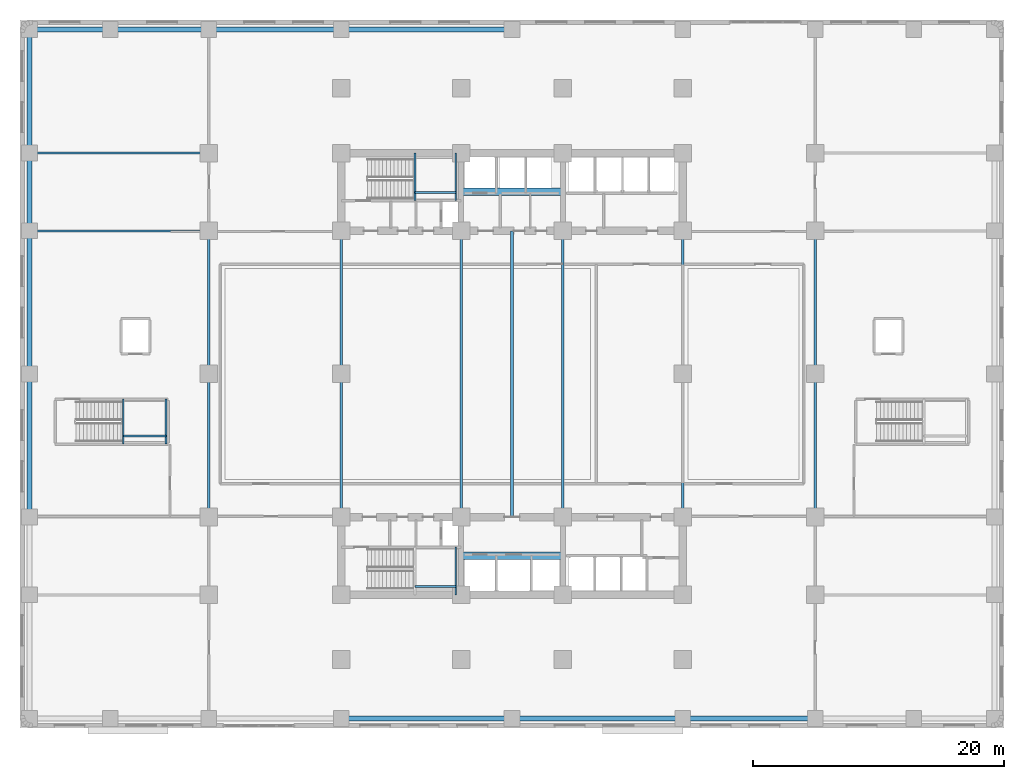
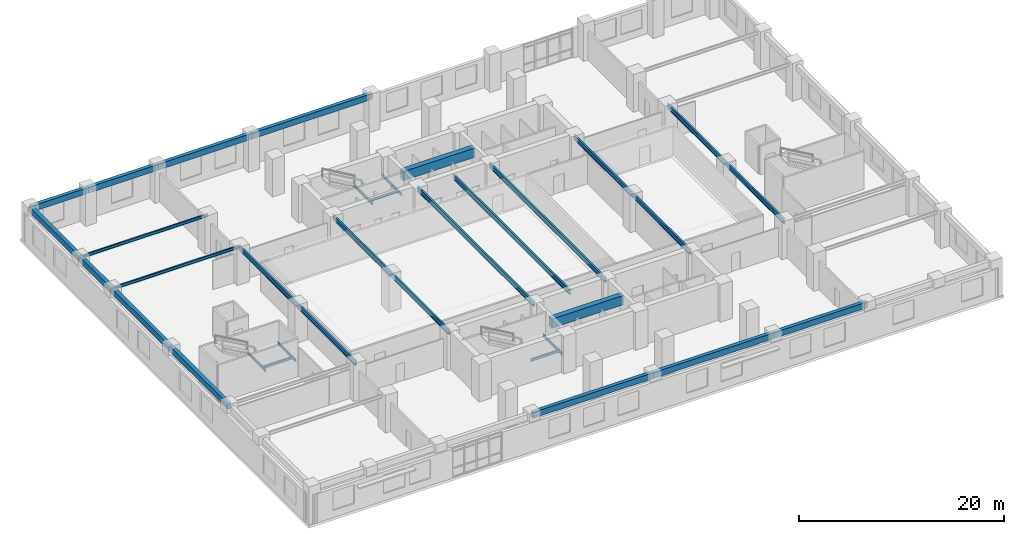
# One storey, part 3 of 14: 30 beams.
"""IFC4 building model written with IfcOpenShell, lengths in metres."""

from ifc_helpers import new_model, si_unit, direction, frame, origin, origin_2d, place, context, subcontext, project, spatial, rectangle, i_section, extrude, material, material_profile, profile_set, type_object, element, save


model = new_model("IFC4")

# Units and contexts
model_context = context("Model", 3, precision=1e-05, world=origin(), true_north=direction((0.0, 1.0)))
body_context = subcontext(model_context, "Body", "Model", "MODEL_VIEW")
ifc_project = project(units=[si_unit("LENGTHUNIT", "METRE"), si_unit("AREAUNIT", "SQUARE_METRE"), si_unit("VOLUMEUNIT", "CUBIC_METRE"), si_unit("PLANEANGLEUNIT", "RADIAN"), si_unit("MASSUNIT", "GRAM", prefix="KILO")], contexts=[model_context])

# Site, building, storey
site_placement = place(None, origin())
site = spatial("IfcSite", under=ifc_project, at=site_placement, CompositionType="ELEMENT")
building_placement = place(site_placement, origin())
building = spatial("IfcBuilding", under=site, at=building_placement, Name="Svetorya Sky Lyceum", CompositionType="ELEMENT")
storey_placement = place(building_placement, frame((0.0, 0.0, 15.60009765625)))
storey = spatial("IfcBuildingStorey", under=building, at=storey_placement, Name="L03", CompositionType="ELEMENT", Elevation=15.60009765625)

# Beams
ifc_material_1 = material(Name="Concrete C60/75", Category="concrete")
ifc_material_profile_1 = material_profile(ifc_material_1, rectangle(XDim=0.60009765625, YDim=1.10009765625, at=origin_2d()), Name="RC COUPLING 600x1100")
ifc_profile_set_1 = profile_set([ifc_material_profile_1], Name="Concrete C60/75")
beam_type_1 = type_object("IfcBeamType", Name="BM-CPL-1100", PredefinedType="LINTEL", material=ifc_profile_set_1)
for number, where, z_axis, x_axis, name in (
    (1, (35.14990234375, 13.699951171875, 3.64990234375), (1.0, 0.0, 0.0), (0.0, 1.0, 0.0), "L03 SC Core Coupling Beam"),
    (2, (35.14990234375, 42.699951171875, 3.64990234375), (1.0, 0.0, 0.0), (0.0, 1.0, 0.0), "L03 NC Core Coupling Beam"),
):
    element("IfcBeam", number, at=place(storey_placement, frame(where, z_axis=z_axis, x_axis=x_axis)), inside=storey, type_object=beam_type_1, Name=name, PredefinedType="LINTEL", context=body_context, shape_type="SweptSolid", body=[
        extrude(rectangle(XDim=0.60009765625, YDim=1.10009765625, at=origin_2d()), origin(), (0.0, 0.0, 1.0), 8.10009765625),
    ])
ifc_material_2 = material(Name="Concrete C50/60", Category="concrete")
ifc_material_profile_2 = material_profile(ifc_material_2, rectangle(XDim=0.39990234375, YDim=0.699951171875, at=origin_2d()), Name="RC SPANDREL 400x700")
ifc_profile_set_2 = profile_set([ifc_material_profile_2], Name="Concrete C50/60")
beam_type_2 = type_object("IfcBeamType", Name="BM-SPN-700", PredefinedType="SPANDREL", material=ifc_profile_set_2)
beam_1_placement = place(storey_placement, frame((0.75, 55.64990234375, 3.849853515625), z_axis=(1.0, 0.0, 0.0), x_axis=(0.0, 1.0, 0.0)))
element("IfcBeam", 3, at=beam_1_placement, inside=storey, type_object=beam_type_2, Name="L03 Podium North Spandrel 1", PredefinedType="SPANDREL", context=body_context, shape_type="SweptSolid", body=[
    extrude(rectangle(XDim=0.39990234375, YDim=0.699951171875, at=origin_2d()), origin(), (0.0, 0.0, 1.0), 6.449951171875),
])
beam_2_placement = place(storey_placement, frame((7.199951171875, 55.64990234375, 3.849853515625), z_axis=(1.0, 0.0, 0.0), x_axis=(0.0, 1.0, 0.0)))
element("IfcBeam", 4, at=beam_2_placement, inside=storey, type_object=beam_type_2, Name="L03 Podium North Spandrel 2", PredefinedType="SPANDREL", context=body_context, shape_type="SweptSolid", body=[
    extrude(rectangle(XDim=0.39990234375, YDim=0.699951171875, at=origin_2d()), origin(), (0.0, 0.0, 1.0), 7.85009765625),
])
beam_3_placement = place(storey_placement, frame((15.050048828125, 55.64990234375, 3.849853515625), z_axis=(1.0, 0.0, 0.0), x_axis=(0.0, 1.0, 0.0)))
element("IfcBeam", 5, at=beam_3_placement, inside=storey, type_object=beam_type_2, Name="L03 Podium North Spandrel 3", PredefinedType="SPANDREL", context=body_context, shape_type="SweptSolid", body=[
    extrude(rectangle(XDim=0.39990234375, YDim=0.699951171875, at=origin_2d()), origin(), (0.0, 0.0, 1.0), 10.550048828125),
])
for number, where, z_axis, x_axis, name in (
    (6, (25.60009765625, 0.75, 3.849853515625), (1.0, 0.0, 0.0), (0.0, 1.0, 0.0), "L03 Podium South Spandrel 4"),
    (7, (25.60009765625, 55.64990234375, 3.849853515625), (1.0, 0.0, 0.0), (0.0, 1.0, 0.0), "L03 Podium North Spandrel 4"),
):
    element("IfcBeam", number, at=place(storey_placement, frame(where, z_axis=z_axis, x_axis=x_axis)), inside=storey, type_object=beam_type_2, Name=name, PredefinedType="SPANDREL", context=body_context, shape_type="SweptSolid", body=[
        extrude(rectangle(XDim=0.39990234375, YDim=0.699951171875, at=origin_2d()), origin(), (0.0, 0.0, 1.0), 13.599853515625),
    ])
beam_4_placement = place(storey_placement, frame((39.199951171875, 0.75, 3.849853515625), z_axis=(1.0, 0.0, 0.0), x_axis=(0.0, 1.0, 0.0)))
element("IfcBeam", 8, at=beam_4_placement, inside=storey, type_object=beam_type_2, Name="L03 Podium South Spandrel 5", PredefinedType="SPANDREL", context=body_context, shape_type="SweptSolid", body=[
    extrude(rectangle(XDim=0.39990234375, YDim=0.699951171875, at=origin_2d()), origin(), (0.0, 0.0, 1.0), 13.60009765625),
])
beam_5_placement = place(storey_placement, frame((52.800048828125, 0.75, 3.849853515625), z_axis=(1.0, 0.0, 0.0), x_axis=(0.0, 1.0, 0.0)))
element("IfcBeam", 9, at=beam_5_placement, inside=storey, type_object=beam_type_2, Name="L03 Podium South Spandrel 6", PredefinedType="SPANDREL", context=body_context, shape_type="SweptSolid", body=[
    extrude(rectangle(XDim=0.39990234375, YDim=0.699951171875, at=origin_2d()), origin(), (0.0, 0.0, 1.0), 10.550048828125),
])
beam_6_placement = place(storey_placement, frame((0.75, 16.800048828125, 3.849853515625), z_axis=(0.0, 1.0, 0.0), x_axis=(-1.0, 0.0, 0.0)))
element("IfcBeam", 10, at=beam_6_placement, inside=storey, type_object=beam_type_2, Name="L03 Podium West Spandrel 3", PredefinedType="SPANDREL", context=body_context, shape_type="SweptSolid", body=[
    extrude(rectangle(XDim=0.39990234375, YDim=0.699951171875, at=origin_2d()), origin(), (0.0, 0.0, 1.0), 11.39990234375),
])
beam_7_placement = place(storey_placement, frame((0.75, 28.199951171875, 3.849853515625), z_axis=(0.0, 1.0, 0.0), x_axis=(-1.0, 0.0, 0.0)))
element("IfcBeam", 11, at=beam_7_placement, inside=storey, type_object=beam_type_2, Name="L03 Podium West Spandrel 4", PredefinedType="SPANDREL", context=body_context, shape_type="SweptSolid", body=[
    extrude(rectangle(XDim=0.39990234375, YDim=0.699951171875, at=origin_2d()), origin(), (0.0, 0.0, 1.0), 11.400146484375),
])
beam_8_placement = place(storey_placement, frame((0.75, 39.60009765625, 3.849853515625), z_axis=(0.0, 1.0, 0.0), x_axis=(-1.0, 0.0, 0.0)))
element("IfcBeam", 12, at=beam_8_placement, inside=storey, type_object=beam_type_2, Name="L03 Podium West Spandrel 5", PredefinedType="SPANDREL", context=body_context, shape_type="SweptSolid", body=[
    extrude(rectangle(XDim=0.39990234375, YDim=0.699951171875, at=origin_2d()), origin(), (0.0, 0.0, 1.0), 6.199951171875),
])
beam_9_placement = place(storey_placement, frame((0.75, 45.800048828125, 3.849853515625), z_axis=(0.0, 1.0, 0.0), x_axis=(-1.0, 0.0, 0.0)))
element("IfcBeam", 13, at=beam_9_placement, inside=storey, type_object=beam_type_2, Name="L03 Podium West Spandrel 6", PredefinedType="SPANDREL", context=body_context, shape_type="SweptSolid", body=[
    extrude(rectangle(XDim=0.39990234375, YDim=0.699951171875, at=origin_2d()), origin(), (0.0, 0.0, 1.0), 9.849853515625),
])
ifc_material_3 = material(Name="Steel S355", Category="steel")
ifc_material_profile_3 = material_profile(ifc_material_3, i_section(OverallWidth=0.14990234375, OverallDepth=0.299072265625, WebThickness=0.006591796875, FlangeThickness=0.010498046875, at=origin_2d()), Name="GOST 30B2")
ifc_profile_set_3 = profile_set([ifc_material_profile_3], Name="Steel S355")
beam_type_3 = type_object("IfcBeamType", Name="BM-STL-30B2", PredefinedType="JOIST", material=ifc_profile_set_3)
beam_10_placement = place(storey_placement, frame((34.719970703125, 10.60009765625, 1.900390625), z_axis=(0.0, 1.0, 0.0), x_axis=(-1.0, 0.0, 0.0)))
element("IfcBeam", 14, at=beam_10_placement, inside=storey, type_object=beam_type_3, Name="L03 Stair ST-S Half-Landing Support Beam 5.2", PredefinedType="JOIST", context=body_context, shape_type="SweptSolid", body=[
    extrude(i_section(OverallWidth=0.14990234375, OverallDepth=0.299072265625, WebThickness=0.006591796875, FlangeThickness=0.010498046875, at=origin_2d()), origin(), (0.0, 0.0, 1.0), 3.7998046875),
])
beam_11_placement = place(storey_placement, frame((31.47998046875, 11.25, 1.900390625), z_axis=(1.0, 0.0, 0.0), x_axis=(0.0, 1.0, 0.0)))
element("IfcBeam", 15, at=beam_11_placement, inside=storey, type_object=beam_type_3, Name="L03 Stair ST-S Half-Landing Cross Tie 5", PredefinedType="JOIST", context=body_context, shape_type="SweptSolid", body=[
    extrude(i_section(OverallWidth=0.14990234375, OverallDepth=0.299072265625, WebThickness=0.006591796875, FlangeThickness=0.010498046875, at=origin_2d()), origin(), (0.0, 0.0, 1.0), 3.239990234375),
])
for number, where, z_axis, x_axis, name in (
    (16, (31.47998046875, 42.0, 1.900390625), (0.0, 1.0, 0.0), (-1.0, 0.0, 0.0), "L03 Stair ST-N Half-Landing Support Beam 5.1"),
    (17, (34.719970703125, 42.0, 1.900390625), (0.0, 1.0, 0.0), (-1.0, 0.0, 0.0), "L03 Stair ST-N Half-Landing Support Beam 5.2"),
):
    element("IfcBeam", number, at=place(storey_placement, frame(where, z_axis=z_axis, x_axis=x_axis)), inside=storey, type_object=beam_type_3, Name=name, PredefinedType="JOIST", context=body_context, shape_type="SweptSolid", body=[
        extrude(i_section(OverallWidth=0.14990234375, OverallDepth=0.299072265625, WebThickness=0.006591796875, FlangeThickness=0.010498046875, at=origin_2d()), origin(), (0.0, 0.0, 1.0), 3.800048828125),
    ])
beam_12_placement = place(storey_placement, frame((31.47998046875, 42.64990234375, 1.900390625), z_axis=(1.0, 0.0, 0.0), x_axis=(0.0, 1.0, 0.0)))
element("IfcBeam", 18, at=beam_12_placement, inside=storey, type_object=beam_type_3, Name="L03 Stair ST-N Half-Landing Cross Tie 5", PredefinedType="JOIST", context=body_context, shape_type="SweptSolid", body=[
    extrude(i_section(OverallWidth=0.14990234375, OverallDepth=0.299072265625, WebThickness=0.006591796875, FlangeThickness=0.010498046875, at=origin_2d()), origin(), (0.0, 0.0, 1.0), 3.239990234375),
])
for number, where, z_axis, x_axis, name in (
    (19, (8.22998046875, 22.60009765625, 1.900390625), (0.0, 1.0, 0.0), (-1.0, 0.0, 0.0), "L03 Stair ST-SCH-W Half-Landing Support Beam 4.1"),
    (20, (11.6201171875, 22.60009765625, 1.900390625), (0.0, 1.0, 0.0), (-1.0, 0.0, 0.0), "L03 Stair ST-SCH-W Half-Landing Support Beam 4.2"),
):
    element("IfcBeam", number, at=place(storey_placement, frame(where, z_axis=z_axis, x_axis=x_axis)), inside=storey, type_object=beam_type_3, Name=name, PredefinedType="JOIST", context=body_context, shape_type="SweptSolid", body=[
        extrude(i_section(OverallWidth=0.14990234375, OverallDepth=0.299072265625, WebThickness=0.006591796875, FlangeThickness=0.010498046875, at=origin_2d()), origin(), (0.0, 0.0, 1.0), 3.599853515625),
    ])
beam_13_placement = place(storey_placement, frame((8.22998046875, 23.25, 1.900390625), z_axis=(1.0, 0.0, 0.0), x_axis=(0.0, 1.0, 0.0)))
element("IfcBeam", 21, at=beam_13_placement, inside=storey, type_object=beam_type_3, Name="L03 Stair ST-SCH-W Half-Landing Cross Tie 4", PredefinedType="JOIST", context=body_context, shape_type="SweptSolid", body=[
    extrude(i_section(OverallWidth=0.14990234375, OverallDepth=0.299072265625, WebThickness=0.006591796875, FlangeThickness=0.010498046875, at=origin_2d()), origin(), (0.0, 0.0, 1.0), 3.39013671875),
])
ifc_material_profile_4 = material_profile(ifc_material_3, i_section(OverallWidth=0.155029296875, OverallDepth=0.34912109375, WebThickness=0.007080078125, FlangeThickness=0.011474609375, at=origin_2d()), Name="GOST 35B2")
ifc_profile_set_4 = profile_set([ifc_material_profile_4], Name="Steel S355")
beam_type_4 = type_object("IfcBeamType", Name="BM-STL-35B2", PredefinedType="JOIST", material=ifc_profile_set_4)
for number, where, z_axis, x_axis, name in (
    (22, (0.75, 39.60009765625, 4.025390625), (1.0, 0.0, 0.0), (0.0, 1.0, 0.0), "L03 Podium Wing Joist W3"),
    (23, (0.75, 45.800048828125, 4.025390625), (1.0, 0.0, 0.0), (0.0, 1.0, 0.0), "L03 Podium Wing Joist W4"),
):
    element("IfcBeam", number, at=place(storey_placement, frame(where, z_axis=z_axis, x_axis=x_axis)), inside=storey, type_object=beam_type_4, Name=name, PredefinedType="JOIST", context=body_context, shape_type="SweptSolid", body=[
        extrude(i_section(OverallWidth=0.155029296875, OverallDepth=0.34912109375, WebThickness=0.007080078125, FlangeThickness=0.011474609375, at=origin_2d()), origin(), (0.0, 0.0, 1.0), 14.300048828125),
    ])
ifc_material_profile_5 = material_profile(ifc_material_3, i_section(OverallWidth=0.2099609375, OverallDepth=0.550048828125, WebThickness=0.010986328125, FlangeThickness=0.017578125, at=origin_2d()), Name="GOST 55B2")
ifc_profile_set_5 = profile_set([ifc_material_profile_5], Name="Steel S355")
beam_type_5 = type_object("IfcBeamType", Name="BM-STL-55B2", PredefinedType="BEAM", material=ifc_profile_set_5)
for number, where, z_axis, x_axis, name in (
    (24, (15.050048828125, 16.800048828125, 3.9248046875), (0.0, 1.0, 0.0), (-1.0, 0.0, 0.0), "L03 Lyceum Hall Steel Girder HG-1"),
    (25, (25.60009765625, 16.800048828125, 3.9248046875), (0.0, 1.0, 0.0), (-1.0, 0.0, 0.0), "L03 Lyceum Hall Steel Girder HG-2"),
    (26, (35.14990234375, 16.800048828125, 3.9248046875), (0.0, 1.0, 0.0), (-1.0, 0.0, 0.0), "L03 Lyceum Hall Steel Girder HG-3"),
    (27, (39.199951171875, 16.800048828125, 3.9248046875), (0.0, 1.0, 0.0), (-1.0, 0.0, 0.0), "L03 Lyceum Hall Steel Girder HG-4"),
    (28, (43.25, 16.800048828125, 3.9248046875), (0.0, 1.0, 0.0), (-1.0, 0.0, 0.0), "L03 Lyceum Hall Steel Girder HG-5"),
    (29, (52.800048828125, 16.800048828125, 3.9248046875), (0.0, 1.0, 0.0), (-1.0, 0.0, 0.0), "L03 Lyceum Hall Steel Girder HG-6"),
    (30, (63.35009765625, 16.800048828125, 3.9248046875), (0.0, 1.0, 0.0), (-1.0, 0.0, 0.0), "L03 Lyceum Hall Steel Girder HG-7"),
):
    element("IfcBeam", number, at=place(storey_placement, frame(where, z_axis=z_axis, x_axis=x_axis)), inside=storey, type_object=beam_type_5, Name=name, PredefinedType="BEAM", context=body_context, shape_type="SweptSolid", body=[
        extrude(i_section(OverallWidth=0.2099609375, OverallDepth=0.550048828125, WebThickness=0.010986328125, FlangeThickness=0.017578125, at=origin_2d()), origin(), (0.0, 0.0, 1.0), 22.800048828125),
    ])

save(model, "model.ifc")
